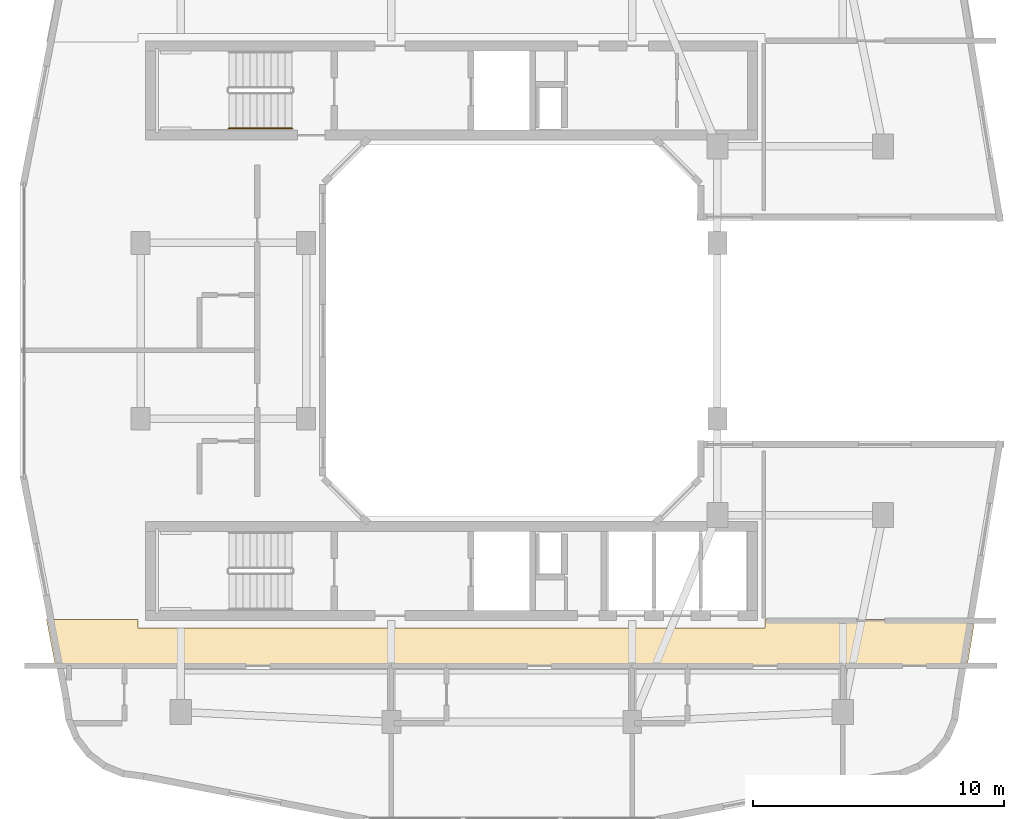
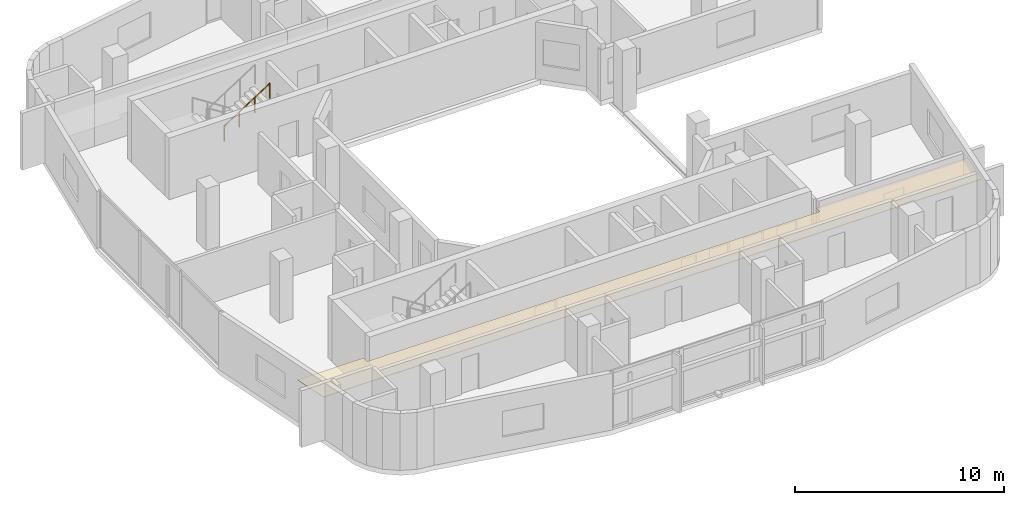
# One storey, part 10 of 12: 1 covering, 1 railing.
"""IFC4 building model written with IfcOpenShell, lengths in metres."""

from ifc_helpers import new_model, si_unit, derived_unit, direction, frame, origin, origin_2d, place, context, subcontext, project, spatial, polyline, circle, outline, extrude, material, layer, layer_set, type_object, element, save


model = new_model("IFC4")

# Units and contexts
model_context = context("Model", 3, precision=1e-05, world=origin(), true_north=direction((0.0, 1.0)))
body_context = subcontext(model_context, "Body", "Model", "MODEL_VIEW")
ifc_project = project(units=[si_unit("LENGTHUNIT", "METRE"), si_unit("AREAUNIT", "SQUARE_METRE"), si_unit("VOLUMEUNIT", "CUBIC_METRE"), si_unit("PLANEANGLEUNIT", "RADIAN"), si_unit("MASSUNIT", "GRAM", prefix="KILO"), derived_unit("THERMALTRANSMITTANCEUNIT", [(si_unit("POWERUNIT", "WATT"), 1), (si_unit("LENGTHUNIT", "METRE"), -2), (si_unit("THERMODYNAMICTEMPERATUREUNIT", "KELVIN"), -1)])], contexts=[model_context])

# Site, building, storey
site_placement = place(None, origin())
site = spatial("IfcSite", under=ifc_project, at=site_placement, CompositionType="ELEMENT")
building_placement = place(site_placement, origin())
building = spatial("IfcBuilding", under=site, at=building_placement, Name="Kivonza Crest Hotel", CompositionType="ELEMENT")
storey_placement = place(building_placement, frame((0.0, 0.0, 188.300048828125)))
storey = spatial("IfcBuildingStorey", under=building, at=storey_placement, Name="L51", CompositionType="ELEMENT", Elevation=188.300048828125)

# Covering
ifc_material_1 = material(Name="Moisture-resistant gypsum plasterboard ceiling", Category="gypsum")
ifc_layer = layer(ifc_material_1, 0.030029296875)
ifc_layer_set = layer_set([ifc_layer], Name="Moisture-resistant gypsum plasterboard ceiling")
covering_type = type_object("IfcCoveringType", Name="CV-CEIL-GYP", PredefinedType="CEILING", material=ifc_layer_set)
covering_placement = place(storey_placement, frame((0.0, 0.0, 2.449951171875)))
element("IfcCovering", 1, at=covering_placement, inside=storey, type_object=covering_type, Name="L51 Hotel South Guest Corridor suspended ceiling", PredefinedType="CEILING", context=body_context, shape_type="SweptSolid", body=[
    extrude(outline(polyline([(2.447021484375, 13.47998046875), (2.806884765625, 11.610107421875), (39.156982421875, 11.610107421875), (39.465087890625, 13.47998046875), (31.10009765625, 13.47998046875), (31.10009765625, 13.139892578125), (6.10009765625, 13.139892578125), (6.10009765625, 13.47998046875), (2.447021484375, 13.47998046875)])), origin(), (0.0, 0.0, 1.0), 0.030029296875),
])

# Railing
ifc_material_2 = material(Name="Brushed stainless steel handrail", Category="steel")
railing_type = type_object("IfcRailingType", Name="RL-HAND-900", PredefinedType="HANDRAIL", material=ifc_material_2)
railing_placement = place(storey_placement, frame((9.719970703125, 33.070068359375, 1.97998046875)))
element("IfcRailing", 2, at=railing_placement, inside=storey, type_object=railing_type, Name="L51 ST-T1-N stair handrail 2", PredefinedType="HANDRAIL", context=body_context, shape_type="SweptSolid", body=[
    extrude(circle(Radius=0.02392578125, at=origin_2d()), frame((0.0, 0.0, 0.8759765625), z_axis=(0.841199657755, 0.0, 0.540724639528), x_axis=(0.0, 1.0, 0.0)), (0.0, 0.0, 1.0), 2.995849609375),
    extrude(circle(Radius=0.02099609375, at=origin_2d()), origin(), (0.0, 0.0, 1.0), 0.851806640625),
    extrude(circle(Radius=0.02099609375, at=origin_2d()), frame((0.840087890625, 0.0, 0.5400390625)), (0.0, 0.0, 1.0), 0.851806640625),
    extrude(circle(Radius=0.02099609375, at=origin_2d()), frame((1.679931640625, 0.0, 1.079833984375)), (0.0, 0.0, 1.0), 0.851806640625),
    extrude(circle(Radius=0.02099609375, at=origin_2d()), frame((2.52001953125, 0.0, 1.619873046875)), (0.0, 0.0, 1.0), 0.851806640625),
])

save(model, "model.ifc")
